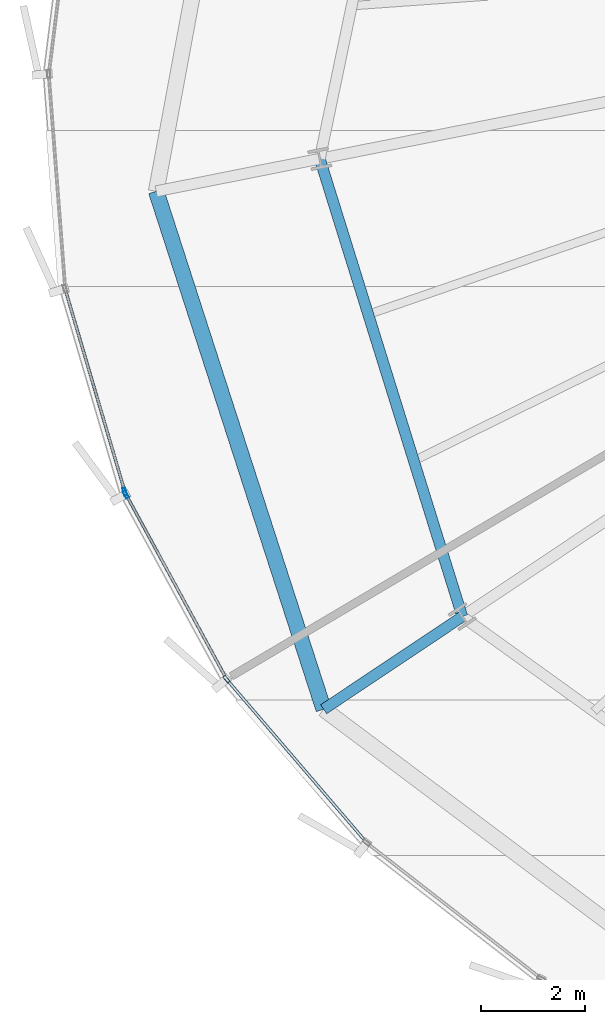
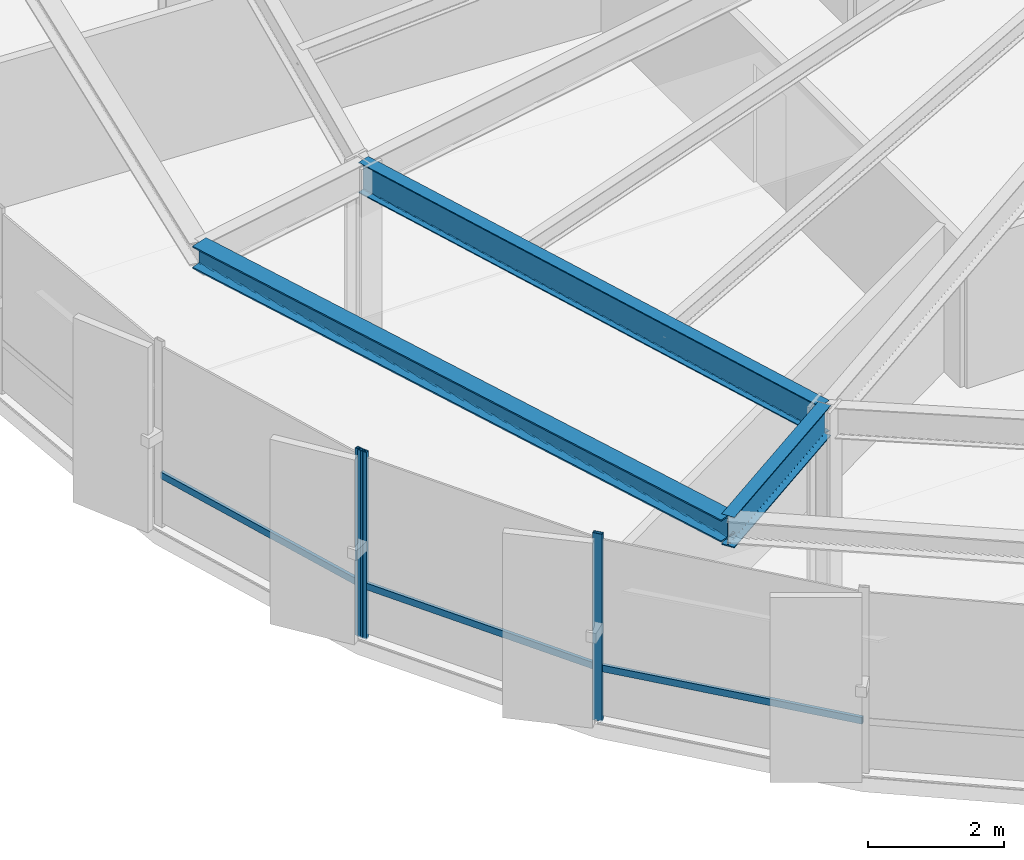
# One storey, part 3 of 34: 6 members, 3 beams, 2 elements without a shape of their own.
"""IFC4 building model written with IfcOpenShell, lengths in metres."""

from ifc_helpers import new_model, si_unit, direction, frame, origin, origin_2d, place, context, subcontext, project, spatial, hollow_rectangle, i_section, extrude, source, transform, mapped, material, layer, layer_set, material_profile, profile_set, type_object, element, aggregate, save


model = new_model("IFC4")

# Units and contexts
model_context = context("Model", 3, precision=1e-05, world=origin(), true_north=direction((0.0, 1.0)))
body_context = subcontext(model_context, "Body", "Model", "MODEL_VIEW")
ifc_project = project(units=[si_unit("LENGTHUNIT", "METRE"), si_unit("AREAUNIT", "SQUARE_METRE"), si_unit("VOLUMEUNIT", "CUBIC_METRE"), si_unit("PLANEANGLEUNIT", "RADIAN"), si_unit("MASSUNIT", "GRAM", prefix="KILO"), si_unit("THERMODYNAMICTEMPERATUREUNIT", "KELVIN")], contexts=[model_context])

# Site, building, storey
site_placement = place(None, origin())
site = spatial("IfcSite", under=ifc_project, at=site_placement, CompositionType="ELEMENT")
building_placement = place(site_placement, origin())
building = spatial("IfcBuilding", under=site, at=building_placement, Name="Kethvar Cultural Tower", CompositionType="ELEMENT")
storey_placement = place(building_placement, frame((0.0, 0.0, 125.199951171875)))
storey = spatial("IfcBuildingStorey", under=building, at=storey_placement, Name="L31", CompositionType="ELEMENT", Elevation=125.199951171875)

# Beams
ifc_material_1 = material(Name="Steel S355J2", Category="steel")
ifc_material_profile_1 = material_profile(ifc_material_1, i_section(OverallWidth=0.2099609375, OverallDepth=0.550048828125, WebThickness=0.010986328125, FlangeThickness=0.01708984375, FilletRadius=0.02392578125, at=origin_2d()), Name="Steel S355J2 — IPE550")
ifc_profile_set_1 = profile_set([ifc_material_profile_1], Name="Steel S355J2 — IPE550")
beam_type_1 = type_object("IfcBeamType", Name="BM-IPE550", PredefinedType="BEAM", material=ifc_profile_set_1)
shared_shape_1 = source(origin(), body_context, "Body", "SweptSolid", [
    extrude(i_section(OverallWidth=0.2099609375, OverallDepth=0.550048828125, WebThickness=0.010986328125, FlangeThickness=0.01708984375, FilletRadius=0.02392578125, at=origin_2d()), origin(), (0.0, 0.0, 1.0), 3.199951171875),
])
beam_1_placement = place(storey_placement, frame((26.920654296875, 14.51708984375, 3.072998046875), z_axis=(-0.831462943996, -0.555580212716, 0.0), x_axis=(0.555580212716, -0.831462943996, 0.0)))
element("IfcBeam", 1, at=beam_1_placement, inside=storey, type_object=beam_type_1, Name="L31 Perimeter Cantilever Beam RC-10", PredefinedType="BEAM", context=body_context, shape_type="MappedRepresentation", body=[
    mapped(shared_shape_1, transform((0.0, 0.0, 0.0), scale=1.0)),
])
shared_shape_2 = source(origin(), body_context, "Body", "SweptSolid", [
    extrude(i_section(OverallWidth=0.2099609375, OverallDepth=0.550048828125, WebThickness=0.010986328125, FlangeThickness=0.01708984375, FilletRadius=0.02392578125, at=origin_2d()), origin(), (0.0, 0.0, 1.0), 9.20068359375),
])
beam_2_placement = place(storey_placement, frame((24.185302734375, 23.3017578125, 3.072998046875), z_axis=(0.297298800285, -0.954784490526, 0.0), x_axis=(0.954784490526, 0.297298800285, 0.0)))
element("IfcBeam", 2, at=beam_2_placement, inside=storey, type_object=beam_type_1, Name="L31 Column Ring Tie Beam CR-09", PredefinedType="BEAM", context=body_context, shape_type="MappedRepresentation", body=[
    mapped(shared_shape_2, transform((0.0, 0.0, 0.0), scale=1.0)),
])
ifc_material_profile_2 = material_profile(ifc_material_1, i_section(OverallWidth=0.300048828125, OverallDepth=0.39990234375, WebThickness=0.013427734375, FlangeThickness=0.02392578125, FilletRadius=0.027099609375, at=origin_2d()), Name="Steel S355J2 — HEB400")
ifc_profile_set_2 = profile_set([ifc_material_profile_2], Name="Steel S355J2 — HEB400")
beam_type_2 = type_object("IfcBeamType", Name="BM-SP400", PredefinedType="SPANDREL", material=ifc_profile_set_2)
shared_shape_3 = source(origin(), body_context, "Body", "SweptSolid", [
    extrude(i_section(OverallWidth=0.300048828125, OverallDepth=0.39990234375, WebThickness=0.013427734375, FlangeThickness=0.02392578125, FilletRadius=0.027099609375, at=origin_2d()), origin(), (0.0, 0.0, 1.0), 10.44482421875),
])
beam_3_placement = place(storey_placement, frame((21.046875, 22.677490234375, 3.14794921875), z_axis=(0.307631709258, -0.951505507845, 0.0), x_axis=(0.951505507845, 0.307631709258, 0.0)))
element("IfcBeam", 3, at=beam_3_placement, inside=storey, type_object=beam_type_2, Name="L31 Perimeter Spandrel Beam SP-09", PredefinedType="SPANDREL", context=body_context, shape_type="MappedRepresentation", body=[
    mapped(shared_shape_3, transform((0.0, 0.0, 0.0), scale=1.0)),
])

# Curtain wall, member
ifc_material_2 = material(Name="Aluminium 6063-T6", Category="aluminium")
ifc_layer = layer(ifc_material_2, 0.179931640625, Name="Aluminium 6063-T6", Category="aluminium")
ifc_layer_set = layer_set([ifc_layer], Name="Aluminium 6063-T6 (180 mm)")
curtain_wall_type = type_object("IfcCurtainWallType", Name="CW-SYS-03-Z2", PredefinedType="NOTDEFINED", material=ifc_layer_set)
curtain_wall_1_placement = place(storey_placement, origin())
curtain_wall_1 = element("IfcCurtainWall", 4, at=curtain_wall_1_placement, inside=storey, type_object=curtain_wall_type, Name="L31 Curtain Wall Run 03", PredefinedType="NOTDEFINED")
ifc_material_profile_3 = material_profile(ifc_material_2, hollow_rectangle(XDim=0.06005859375, YDim=0.14990234375, WallThickness=0.0048828125, at=origin_2d()), Name="Aluminium 6063-T6 — RHS150x60x5")
ifc_profile_set_3 = profile_set([ifc_material_profile_3], Name="Aluminium 6063-T6 — RHS150x60x5")
member_type_1 = type_object("IfcMemberType", Name="CW-SYS-03-Z2-MUL", PredefinedType="MULLION", material=ifc_profile_set_3)
shared_shape_4 = source(origin(), body_context, "Body", "SweptSolid", [
    extrude(hollow_rectangle(XDim=0.06005859375, YDim=0.14990234375, WallThickness=0.0048828125, at=origin_2d()), origin(), (0.0, 0.0, 1.0), 3.35009765625),
])
member_1_placement = place(storey_placement, frame((20.4453125, 16.912353515625, 0.0), z_axis=(0.0, 0.0, 1.0), x_axis=(0.959274542885, 0.28247539959, 0.0)))
member_1 = element("IfcMember", 5, at=member_1_placement, type_object=member_type_1, Name="CW-L31-R03 Mullion 7", PredefinedType="MULLION", context=body_context, shape_type="MappedRepresentation", body=[
    mapped(shared_shape_4, transform((0.0, 0.0, 0.0), scale=1.0)),
])

# Curtain wall, members
curtain_wall_2_placement = place(storey_placement, origin())
curtain_wall_2 = element("IfcCurtainWall", 6, at=curtain_wall_2_placement, inside=storey, type_object=curtain_wall_type, Name="L31 Curtain Wall Run 04", PredefinedType="NOTDEFINED")
member_2_placement = place(storey_placement, frame((20.465576171875, 16.86328125, 0.0), z_axis=(0.0, 0.0, 1.0), x_axis=(0.878041452119, 0.478584588512, 0.0)))
member_2 = element("IfcMember", 7, at=member_2_placement, type_object=member_type_1, Name="CW-L31-R04 Mullion 1", PredefinedType="MULLION", context=body_context, shape_type="MappedRepresentation", body=[
    mapped(shared_shape_4, transform((0.0, 0.0, 0.0), scale=1.0)),
])
member_3_placement = place(storey_placement, frame((22.39501953125, 13.31787109375, 0.0), z_axis=(0.0, 0.0, 1.0), x_axis=(0.759271307335, 0.650774217266, 0.0)))
member_3 = element("IfcMember", 8, at=member_3_placement, type_object=member_type_1, Name="CW-L31-R04 Mullion 2", PredefinedType="MULLION", context=body_context, shape_type="MappedRepresentation", body=[
    mapped(shared_shape_4, transform((0.0, 0.0, 0.0), scale=1.0)),
])

# Member
ifc_material_profile_4 = material_profile(ifc_material_2, hollow_rectangle(XDim=0.054931640625, YDim=0.1201171875, WallThickness=0.00390625, at=origin_2d()), Name="Aluminium 6063-T6 — RHS120x55x4")
ifc_profile_set_4 = profile_set([ifc_material_profile_4], Name="Aluminium 6063-T6 — RHS120x55x4")
member_type_2 = type_object("IfcMemberType", Name="CW-SYS-03-Z2-TRN", PredefinedType="USERDEFINED", material=ifc_profile_set_4)
shared_shape_5 = source(origin(), body_context, "Body", "SweptSolid", [
    extrude(hollow_rectangle(XDim=0.054931640625, YDim=0.1201171875, WallThickness=0.00390625, at=origin_2d()), origin(), (0.0, 0.0, 1.0), 4.0126953125),
])
member_4_placement = place(storey_placement, frame((19.310546875, 20.765625, 0.949951171875), z_axis=(0.282482524349, -0.959272444844, 0.0), x_axis=(0.959272444844, 0.282482524349, 0.0)))
member_4 = element("IfcMember", 9, at=member_4_placement, type_object=member_type_2, Name="CW-L31-R03 Transom 6", ObjectType="TRANSOM", PredefinedType="USERDEFINED", context=body_context, shape_type="MappedRepresentation", body=[
    mapped(shared_shape_5, transform((0.0, 0.0, 0.0), scale=1.0)),
])

aggregate(curtain_wall_1, [member_1, member_4])

shared_shape_6 = source(origin(), body_context, "Body", "SweptSolid", [
    extrude(hollow_rectangle(XDim=0.054931640625, YDim=0.1201171875, WallThickness=0.00390625, at=origin_2d()), origin(), (0.0, 0.0, 1.0), 4.012939453125),
])
member_5_placement = place(storey_placement, frame((20.467529296875, 16.859619140625, 0.949951171875), z_axis=(0.478617671668, -0.878023419031, 0.0), x_axis=(0.878023419031, 0.478617671668, 0.0)))
member_5 = element("IfcMember", 10, at=member_5_placement, type_object=member_type_2, Name="CW-L31-R04 Transom 1", ObjectType="TRANSOM", PredefinedType="USERDEFINED", context=body_context, shape_type="MappedRepresentation", body=[
    mapped(shared_shape_6, transform((0.0, 0.0, 0.0), scale=1.0)),
])

shared_shape_7 = source(origin(), body_context, "Body", "SweptSolid", [
    extrude(hollow_rectangle(XDim=0.054931640625, YDim=0.1201171875, WallThickness=0.00390625, at=origin_2d()), origin(), (0.0, 0.0, 1.0), 4.07177734375),
])
member_6_placement = place(storey_placement, frame((22.423095703125, 13.28515625, 0.949951171875), z_axis=(0.650791373456, -0.759256602365, 0.0), x_axis=(0.759256602365, 0.650791373456, 0.0)))
member_6 = element("IfcMember", 11, at=member_6_placement, type_object=member_type_2, Name="CW-L31-R04 Transom 2", ObjectType="TRANSOM", PredefinedType="USERDEFINED", context=body_context, shape_type="MappedRepresentation", body=[
    mapped(shared_shape_7, transform((0.0, 0.0, 0.0), scale=1.0)),
])

aggregate(curtain_wall_2, [member_2, member_3, member_5, member_6])

save(model, "model.ifc")
